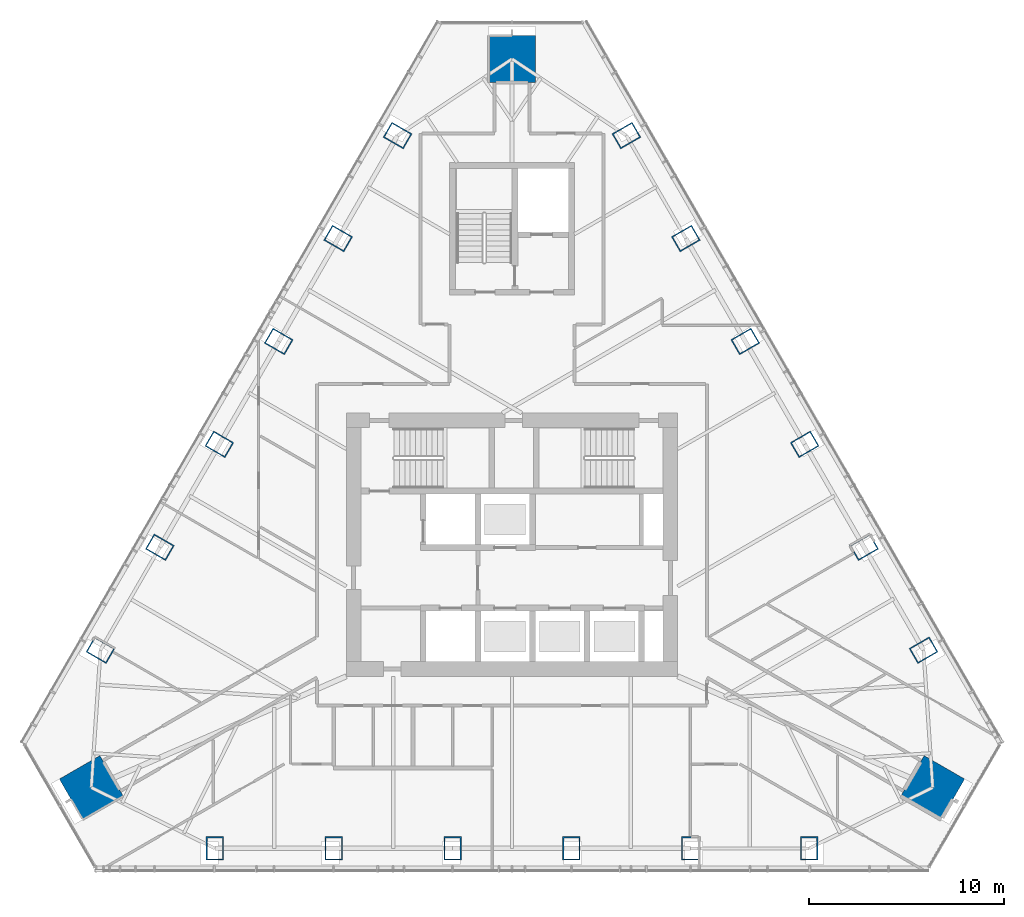
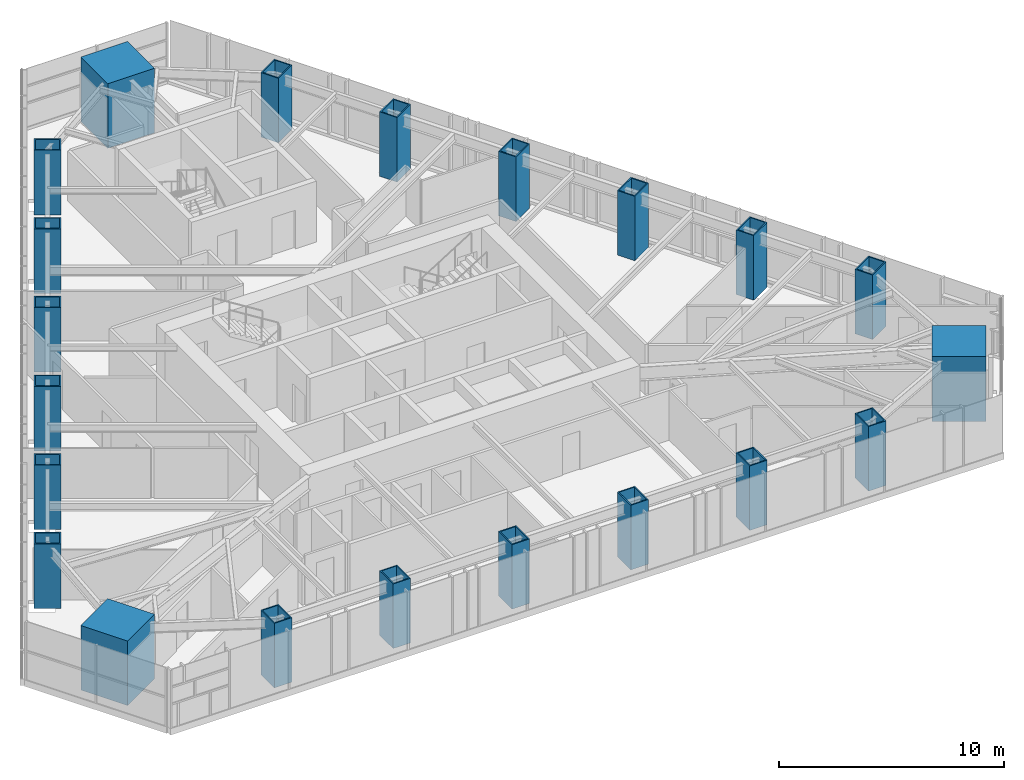
# One storey, part 1 of 18: 21 columns.
"""IFC4 building model written with IfcOpenShell, lengths in metres."""

from ifc_helpers import new_model, si_unit, direction, frame, origin, origin_2d, place, context, subcontext, project, spatial, rectangle, hollow_rectangle, extrude, material, material_profile, profile_set, type_object, element, save


model = new_model("IFC4")

# Units and contexts
model_context = context("Model", 3, precision=1e-05, world=origin(), true_north=direction((0.0, 1.0)))
body_context = subcontext(model_context, "Body", "Model", "MODEL_VIEW")
ifc_project = project(units=[si_unit("LENGTHUNIT", "METRE"), si_unit("AREAUNIT", "SQUARE_METRE"), si_unit("VOLUMEUNIT", "CUBIC_METRE"), si_unit("PLANEANGLEUNIT", "RADIAN"), si_unit("MASSUNIT", "GRAM", prefix="KILO")], contexts=[model_context])

# Site, building, storey
site_placement = place(None, origin())
site = spatial("IfcSite", under=ifc_project, at=site_placement, CompositionType="ELEMENT")
building_placement = place(site_placement, origin())
building = spatial("IfcBuilding", under=site, at=building_placement, Name="Firuza Gate Tower and Library", CompositionType="ELEMENT")
storey_placement = place(building_placement, frame((0.0, 0.0, 298.60009765625)))
storey = spatial("IfcBuildingStorey", under=building, at=storey_placement, Name="L72", CompositionType="ELEMENT", Elevation=298.60009765625)

# Columns
ifc_material_1 = material(Name="Steel S355", Category="steel")
ifc_material_profile_1 = material_profile(ifc_material_1, hollow_rectangle(XDim=0.89990234375, YDim=1.199951171875, WallThickness=0.06005859375, at=origin_2d()))
ifc_profile_set_1 = profile_set([ifc_material_profile_1], Name="Steel S355")
column_type_1 = type_object("IfcColumnType", Name="BU1200x900x60 Composite box column", PredefinedType="COLUMN", material=ifc_profile_set_1)
for number, where, z_axis, x_axis, name in (
    (1, (59.760009765625, 59.4248046875, -0.00048828125), (0.0, 0.0, 1.0), (1.0, 0.0, 0.0), "Column S1 L72"),
    (2, (65.85595703125, 59.4248046875, -0.00048828125), (0.0, 0.0, 1.0), (1.0, 0.0, 0.0), "Column S2 L72"),
    (3, (71.951904296875, 59.4248046875, -0.00048828125), (0.0, 0.0, 1.0), (1.0, 0.0, 0.0), "Column S3 L72"),
    (4, (78.048095703125, 59.4248046875, -0.00048828125), (0.0, 0.0, 1.0), (1.0, 0.0, 0.0), "Column S4 L72"),
    (5, (84.14404296875, 59.4248046875, -0.00048828125), (0.0, 0.0, 1.0), (1.0, 0.0, 0.0), "Column S5 L72"),
    (6, (90.239990234375, 59.4248046875, -0.00048828125), (0.0, 0.0, 1.0), (1.0, 0.0, 0.0), "Column S6 L72"),
    (7, (96.108642578125, 69.58935546875, -0.00048828125), (0.0, 0.0, 1.0), (-0.5, 0.866025403784, 0.0), "Column E1 L72"),
    (8, (93.060546875, 74.86865234375, -0.00048828125), (0.0, 0.0, 1.0), (-0.5, 0.866025403784, 0.0), "Column E2 L72"),
    (9, (90.0126953125, 80.14794921875, -0.00048828125), (0.0, 0.0, 1.0), (-0.5, 0.866025403784, 0.0), "Column E3 L72"),
    (10, (86.964599609375, 85.42724609375, -0.00048828125), (0.0, 0.0, 1.0), (-0.5, 0.866025403784, 0.0), "Column E4 L72"),
    (11, (83.91650390625, 90.70654296875, -0.00048828125), (0.0, 0.0, 1.0), (-0.5, 0.866025403784, 0.0), "Column E5 L72"),
    (12, (80.86865234375, 95.98583984375, -0.00048828125), (0.0, 0.0, 1.0), (-0.5, 0.866025403784, 0.0), "Column E6 L72"),
    (13, (69.13134765625, 95.98583984375, -0.00048828125), (0.0, 0.0, 1.0), (-0.5, -0.866025403784, 0.0), "Column W1 L72"),
    (14, (66.08349609375, 90.70654296875, -0.00048828125), (0.0, 0.0, 1.0), (-0.5, -0.866025403784, 0.0), "Column W2 L72"),
    (15, (63.035400390625, 85.42724609375, -0.00048828125), (0.0, 0.0, 1.0), (-0.5, -0.866025403784, 0.0), "Column W3 L72"),
    (16, (59.9873046875, 80.14794921875, -0.00048828125), (0.0, 0.0, 1.0), (-0.5, -0.866025403784, 0.0), "Column W4 L72"),
    (17, (56.939453125, 74.86865234375, -0.00048828125), (0.0, 0.0, 1.0), (-0.5, -0.866025403784, 0.0), "Column W5 L72"),
    (18, (53.891357421875, 69.58935546875, -0.00048828125), (0.0, 0.0, 1.0), (-0.5, -0.866025403784, 0.0), "Column W6 L72"),
):
    element("IfcColumn", number, at=place(storey_placement, frame(where, z_axis=z_axis, x_axis=x_axis)), inside=storey, type_object=column_type_1, Name=name, PredefinedType="COLUMN", context=body_context, shape_type="SweptSolid", body=[
        extrude(hollow_rectangle(XDim=0.89990234375, YDim=1.199951171875, WallThickness=0.06005859375, at=origin_2d()), origin(), (0.0, 0.0, 1.0), 3.50048828125),
    ])
ifc_material_2 = material(Name="Concrete C80/95", Category="concrete")
ifc_material_profile_2 = material_profile(ifc_material_2, rectangle(XDim=2.39990234375, YDim=2.39990234375, at=origin_2d()))
ifc_profile_set_2 = profile_set([ifc_material_profile_2], Name="Concrete C80/95")
column_type_2 = type_object("IfcColumnType", Name="Mega column 2400x2400 C80/95", PredefinedType="COLUMN", material=ifc_profile_set_2)
for number, where, z_axis, x_axis, name in (
    (19, (96.5771484375, 62.54248046875, 0.0), (0.0, 0.0, 1.0), (0.5, 0.866025403784, 0.0), "Mega column SE L72"),
    (20, (75.0, 99.9150390625, 0.0), (0.0, 0.0, 1.0), (-1.0, 0.0, 0.0), "Mega column N L72"),
    (21, (53.4228515625, 62.54248046875, 0.0), (0.0, 0.0, 1.0), (0.5, -0.866025403784, 0.0), "Mega column SW L72"),
):
    element("IfcColumn", number, at=place(storey_placement, frame(where, z_axis=z_axis, x_axis=x_axis)), inside=storey, type_object=column_type_2, Name=name, PredefinedType="COLUMN", context=body_context, shape_type="SweptSolid", body=[
        extrude(rectangle(XDim=2.39990234375, YDim=2.39990234375, at=origin_2d()), origin(), (0.0, 0.0, 1.0), 3.5),
    ])

save(model, "model.ifc")
